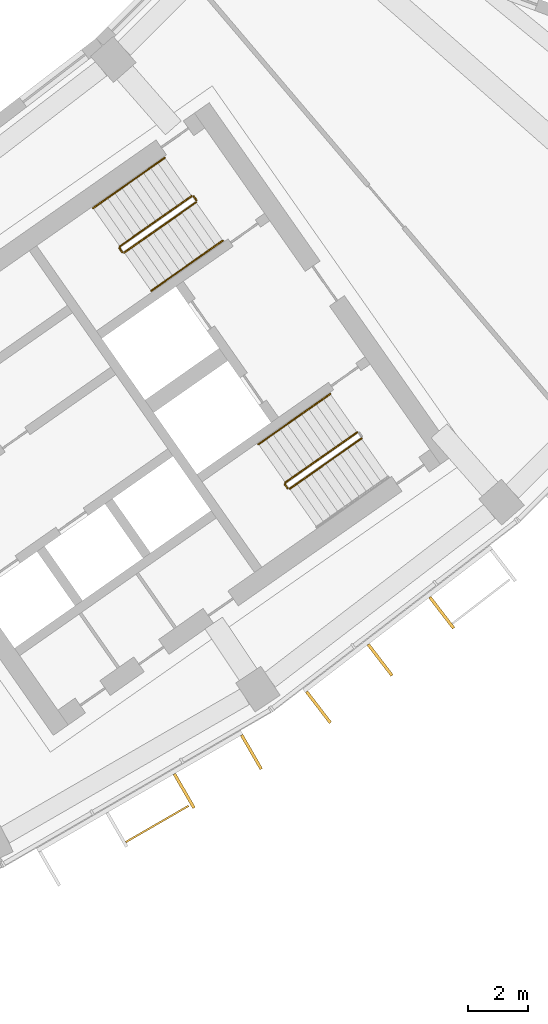
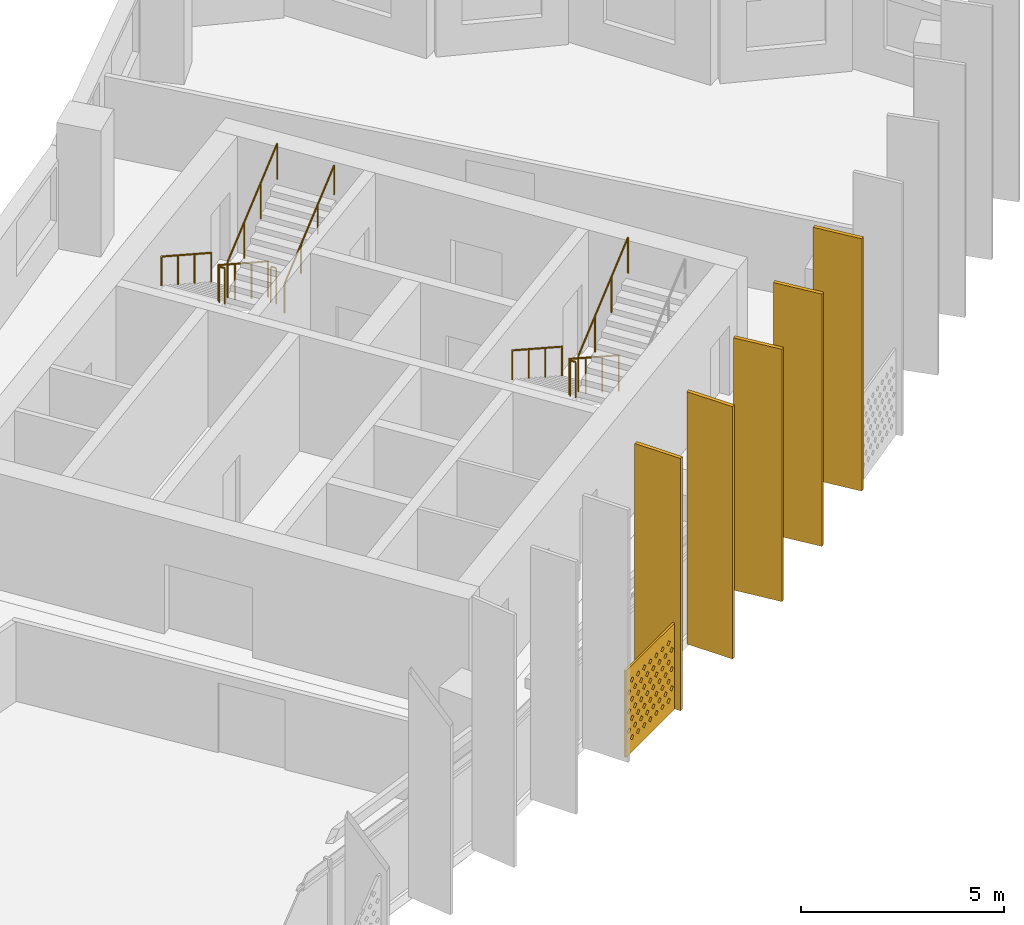
# One storey, part 27 of 28: 8 railings, 6 shading devices.
"""IFC4 building model written with IfcOpenShell, lengths in metres."""

from ifc_helpers import new_model, si_unit, direction, frame, origin, origin_2d, place, context, subcontext, project, spatial, polyline, rectangle, circle, outline, extrude, material, material_profile, profile_set, type_object, element, save


model = new_model("IFC4")

# Units and contexts
model_context = context("Model", 3, precision=1e-05, world=origin(), true_north=direction((0.0, 1.0)))
body_context = subcontext(model_context, "Body", "Model", "MODEL_VIEW")
ifc_project = project(units=[si_unit("LENGTHUNIT", "METRE"), si_unit("AREAUNIT", "SQUARE_METRE"), si_unit("VOLUMEUNIT", "CUBIC_METRE"), si_unit("PLANEANGLEUNIT", "RADIAN"), si_unit("MASSUNIT", "GRAM", prefix="KILO")], contexts=[model_context])

# Site, building, storey
site_placement = place(None, origin())
site = spatial("IfcSite", under=ifc_project, at=site_placement, CompositionType="ELEMENT")
building_placement = place(site_placement, origin())
building = spatial("IfcBuilding", under=site, at=building_placement, Name="Qamariyya Broadcast Tower", CompositionType="ELEMENT")
storey_placement = place(building_placement, frame((0.0, 0.0, 226.5)))
storey = spatial("IfcBuildingStorey", under=building, at=storey_placement, Name="L54", CompositionType="ELEMENT", Elevation=226.5)

# Shading device
ifc_material_1 = material(Name="Perforated glazed terracotta", Category="masonry")
ifc_material_profile_1 = material_profile(ifc_material_1, outline(polyline([(-1.199951171875, -1.300048828125), (1.199951171875, -1.300048828125), (1.199951171875, 1.300048828125), (-1.199951171875, 1.300048828125), (-1.199951171875, -1.300048828125)]), holes=[polyline([(-0.81494140625, -0.86669921875), (-0.89990234375, -0.78173828125), (-0.985107421875, -0.86669921875), (-0.89990234375, -0.95166015625), (-0.81494140625, -0.86669921875)]), polyline([(-0.514892578125, -0.86669921875), (-0.60009765625, -0.78173828125), (-0.68505859375, -0.86669921875), (-0.60009765625, -0.95166015625), (-0.514892578125, -0.86669921875)]), polyline([(-0.215087890625, -0.86669921875), (-0.300048828125, -0.78173828125), (-0.385009765625, -0.86669921875), (-0.300048828125, -0.95166015625), (-0.215087890625, -0.86669921875)]), polyline([(0.0849609375, -0.86669921875), (0.0, -0.78173828125), (-0.0849609375, -0.86669921875), (0.0, -0.95166015625), (0.0849609375, -0.86669921875)]), polyline([(0.385009765625, -0.86669921875), (0.300048828125, -0.78173828125), (0.215087890625, -0.86669921875), (0.300048828125, -0.95166015625), (0.385009765625, -0.86669921875)]), polyline([(0.68505859375, -0.86669921875), (0.60009765625, -0.78173828125), (0.514892578125, -0.86669921875), (0.60009765625, -0.95166015625), (0.68505859375, -0.86669921875)]), polyline([(0.985107421875, -0.86669921875), (0.89990234375, -0.78173828125), (0.81494140625, -0.86669921875), (0.89990234375, -0.95166015625), (0.985107421875, -0.86669921875)]), polyline([(-0.965087890625, -0.577880859375), (-1.050048828125, -0.49267578125), (-1.135009765625, -0.577880859375), (-1.050048828125, -0.662841796875), (-0.965087890625, -0.577880859375)]), polyline([(-0.6650390625, -0.577880859375), (-0.75, -0.49267578125), (-0.8349609375, -0.577880859375), (-0.75, -0.662841796875), (-0.6650390625, -0.577880859375)]), polyline([(-0.364990234375, -0.577880859375), (-0.449951171875, -0.49267578125), (-0.534912109375, -0.577880859375), (-0.449951171875, -0.662841796875), (-0.364990234375, -0.577880859375)]), polyline([(-0.06494140625, -0.577880859375), (-0.14990234375, -0.49267578125), (-0.235107421875, -0.577880859375), (-0.14990234375, -0.662841796875), (-0.06494140625, -0.577880859375)]), polyline([(0.235107421875, -0.577880859375), (0.14990234375, -0.49267578125), (0.06494140625, -0.577880859375), (0.14990234375, -0.662841796875), (0.235107421875, -0.577880859375)]), polyline([(0.534912109375, -0.577880859375), (0.449951171875, -0.49267578125), (0.364990234375, -0.577880859375), (0.449951171875, -0.662841796875), (0.534912109375, -0.577880859375)]), polyline([(0.8349609375, -0.577880859375), (0.75, -0.49267578125), (0.6650390625, -0.577880859375), (0.75, -0.662841796875), (0.8349609375, -0.577880859375)]), polyline([(1.135009765625, -0.577880859375), (1.050048828125, -0.49267578125), (0.965087890625, -0.577880859375), (1.050048828125, -0.662841796875), (1.135009765625, -0.577880859375)]), polyline([(-0.81494140625, -0.288818359375), (-0.89990234375, -0.203857421875), (-0.985107421875, -0.288818359375), (-0.89990234375, -0.373779296875), (-0.81494140625, -0.288818359375)]), polyline([(-0.514892578125, -0.288818359375), (-0.60009765625, -0.203857421875), (-0.68505859375, -0.288818359375), (-0.60009765625, -0.373779296875), (-0.514892578125, -0.288818359375)]), polyline([(-0.215087890625, -0.288818359375), (-0.300048828125, -0.203857421875), (-0.385009765625, -0.288818359375), (-0.300048828125, -0.373779296875), (-0.215087890625, -0.288818359375)]), polyline([(0.0849609375, -0.288818359375), (0.0, -0.203857421875), (-0.0849609375, -0.288818359375), (0.0, -0.373779296875), (0.0849609375, -0.288818359375)]), polyline([(0.385009765625, -0.288818359375), (0.300048828125, -0.203857421875), (0.215087890625, -0.288818359375), (0.300048828125, -0.373779296875), (0.385009765625, -0.288818359375)]), polyline([(0.68505859375, -0.288818359375), (0.60009765625, -0.203857421875), (0.514892578125, -0.288818359375), (0.60009765625, -0.373779296875), (0.68505859375, -0.288818359375)]), polyline([(0.985107421875, -0.288818359375), (0.89990234375, -0.203857421875), (0.81494140625, -0.288818359375), (0.89990234375, -0.373779296875), (0.985107421875, -0.288818359375)]), polyline([(-0.965087890625, 0.0), (-1.050048828125, 0.0849609375), (-1.135009765625, 0.0), (-1.050048828125, -0.0849609375), (-0.965087890625, 0.0)]), polyline([(-0.6650390625, 0.0), (-0.75, 0.0849609375), (-0.8349609375, 0.0), (-0.75, -0.0849609375), (-0.6650390625, 0.0)]), polyline([(-0.364990234375, 0.0), (-0.449951171875, 0.0849609375), (-0.534912109375, 0.0), (-0.449951171875, -0.0849609375), (-0.364990234375, 0.0)]), polyline([(-0.06494140625, 0.0), (-0.14990234375, 0.0849609375), (-0.235107421875, 0.0), (-0.14990234375, -0.0849609375), (-0.06494140625, 0.0)]), polyline([(0.235107421875, 0.0), (0.14990234375, 0.0849609375), (0.06494140625, 0.0), (0.14990234375, -0.0849609375), (0.235107421875, 0.0)]), polyline([(0.534912109375, 0.0), (0.449951171875, 0.0849609375), (0.364990234375, 0.0), (0.449951171875, -0.0849609375), (0.534912109375, 0.0)]), polyline([(0.8349609375, 0.0), (0.75, 0.0849609375), (0.6650390625, 0.0), (0.75, -0.0849609375), (0.8349609375, 0.0)]), polyline([(1.135009765625, 0.0), (1.050048828125, 0.0849609375), (0.965087890625, 0.0), (1.050048828125, -0.0849609375), (1.135009765625, 0.0)]), polyline([(-0.81494140625, 0.288818359375), (-0.89990234375, 0.373779296875), (-0.985107421875, 0.288818359375), (-0.89990234375, 0.203857421875), (-0.81494140625, 0.288818359375)]), polyline([(-0.514892578125, 0.288818359375), (-0.60009765625, 0.373779296875), (-0.68505859375, 0.288818359375), (-0.60009765625, 0.203857421875), (-0.514892578125, 0.288818359375)]), polyline([(-0.215087890625, 0.288818359375), (-0.300048828125, 0.373779296875), (-0.385009765625, 0.288818359375), (-0.300048828125, 0.203857421875), (-0.215087890625, 0.288818359375)]), polyline([(0.0849609375, 0.288818359375), (0.0, 0.373779296875), (-0.0849609375, 0.288818359375), (0.0, 0.203857421875), (0.0849609375, 0.288818359375)]), polyline([(0.385009765625, 0.288818359375), (0.300048828125, 0.373779296875), (0.215087890625, 0.288818359375), (0.300048828125, 0.203857421875), (0.385009765625, 0.288818359375)]), polyline([(0.68505859375, 0.288818359375), (0.60009765625, 0.373779296875), (0.514892578125, 0.288818359375), (0.60009765625, 0.203857421875), (0.68505859375, 0.288818359375)]), polyline([(0.985107421875, 0.288818359375), (0.89990234375, 0.373779296875), (0.81494140625, 0.288818359375), (0.89990234375, 0.203857421875), (0.985107421875, 0.288818359375)]), polyline([(-0.965087890625, 0.577880859375), (-1.050048828125, 0.662841796875), (-1.135009765625, 0.577880859375), (-1.050048828125, 0.49267578125), (-0.965087890625, 0.577880859375)]), polyline([(-0.6650390625, 0.577880859375), (-0.75, 0.662841796875), (-0.8349609375, 0.577880859375), (-0.75, 0.49267578125), (-0.6650390625, 0.577880859375)]), polyline([(-0.364990234375, 0.577880859375), (-0.449951171875, 0.662841796875), (-0.534912109375, 0.577880859375), (-0.449951171875, 0.49267578125), (-0.364990234375, 0.577880859375)]), polyline([(-0.06494140625, 0.577880859375), (-0.14990234375, 0.662841796875), (-0.235107421875, 0.577880859375), (-0.14990234375, 0.49267578125), (-0.06494140625, 0.577880859375)]), polyline([(0.235107421875, 0.577880859375), (0.14990234375, 0.662841796875), (0.06494140625, 0.577880859375), (0.14990234375, 0.49267578125), (0.235107421875, 0.577880859375)]), polyline([(0.534912109375, 0.577880859375), (0.449951171875, 0.662841796875), (0.364990234375, 0.577880859375), (0.449951171875, 0.49267578125), (0.534912109375, 0.577880859375)]), polyline([(0.8349609375, 0.577880859375), (0.75, 0.662841796875), (0.6650390625, 0.577880859375), (0.75, 0.49267578125), (0.8349609375, 0.577880859375)]), polyline([(1.135009765625, 0.577880859375), (1.050048828125, 0.662841796875), (0.965087890625, 0.577880859375), (1.050048828125, 0.49267578125), (1.135009765625, 0.577880859375)]), polyline([(-0.81494140625, 0.86669921875), (-0.89990234375, 0.95166015625), (-0.985107421875, 0.86669921875), (-0.89990234375, 0.78173828125), (-0.81494140625, 0.86669921875)]), polyline([(-0.514892578125, 0.86669921875), (-0.60009765625, 0.95166015625), (-0.68505859375, 0.86669921875), (-0.60009765625, 0.78173828125), (-0.514892578125, 0.86669921875)]), polyline([(-0.215087890625, 0.86669921875), (-0.300048828125, 0.95166015625), (-0.385009765625, 0.86669921875), (-0.300048828125, 0.78173828125), (-0.215087890625, 0.86669921875)]), polyline([(0.0849609375, 0.86669921875), (0.0, 0.95166015625), (-0.0849609375, 0.86669921875), (0.0, 0.78173828125), (0.0849609375, 0.86669921875)]), polyline([(0.385009765625, 0.86669921875), (0.300048828125, 0.95166015625), (0.215087890625, 0.86669921875), (0.300048828125, 0.78173828125), (0.385009765625, 0.86669921875)]), polyline([(0.68505859375, 0.86669921875), (0.60009765625, 0.95166015625), (0.514892578125, 0.86669921875), (0.60009765625, 0.78173828125), (0.68505859375, 0.86669921875)]), polyline([(0.985107421875, 0.86669921875), (0.89990234375, 0.95166015625), (0.81494140625, 0.86669921875), (0.89990234375, 0.78173828125), (0.985107421875, 0.86669921875)])]))
ifc_profile_set_1 = profile_set([ifc_material_profile_1], Name="Perforated glazed terracotta")
shading_device_type_1 = type_object("IfcShadingDeviceType", Name="Perforated terracotta screen 2400 x 2600", PredefinedType="USERDEFINED", material=ifc_profile_set_1)
shading_device_placement = place(storey_placement, frame((39.8447265625, -69.0849609375, 1.35009765625), z_axis=(0.500074377092, -0.865982457891, 0.0), x_axis=(0.865982457891, 0.500074377092, 0.0)))
element("IfcShadingDevice", 1, at=shading_device_placement, inside=storey, type_object=shading_device_type_1, Name="e-scr-L54-12-1", ObjectType="SCREEN", PredefinedType="USERDEFINED", context=body_context, shape_type="SweptSolid", body=[
    extrude(outline(polyline([(-1.199951171875, -1.300048828125), (1.199951171875, -1.300048828125), (1.199951171875, 1.300048828125), (-1.199951171875, 1.300048828125), (-1.199951171875, -1.300048828125)]), holes=[polyline([(-0.81494140625, -0.86669921875), (-0.89990234375, -0.78173828125), (-0.985107421875, -0.86669921875), (-0.89990234375, -0.95166015625), (-0.81494140625, -0.86669921875)]), polyline([(-0.514892578125, -0.86669921875), (-0.60009765625, -0.78173828125), (-0.68505859375, -0.86669921875), (-0.60009765625, -0.95166015625), (-0.514892578125, -0.86669921875)]), polyline([(-0.215087890625, -0.86669921875), (-0.300048828125, -0.78173828125), (-0.385009765625, -0.86669921875), (-0.300048828125, -0.95166015625), (-0.215087890625, -0.86669921875)]), polyline([(0.0849609375, -0.86669921875), (0.0, -0.78173828125), (-0.0849609375, -0.86669921875), (0.0, -0.95166015625), (0.0849609375, -0.86669921875)]), polyline([(0.385009765625, -0.86669921875), (0.300048828125, -0.78173828125), (0.215087890625, -0.86669921875), (0.300048828125, -0.95166015625), (0.385009765625, -0.86669921875)]), polyline([(0.68505859375, -0.86669921875), (0.60009765625, -0.78173828125), (0.514892578125, -0.86669921875), (0.60009765625, -0.95166015625), (0.68505859375, -0.86669921875)]), polyline([(0.985107421875, -0.86669921875), (0.89990234375, -0.78173828125), (0.81494140625, -0.86669921875), (0.89990234375, -0.95166015625), (0.985107421875, -0.86669921875)]), polyline([(-0.965087890625, -0.577880859375), (-1.050048828125, -0.49267578125), (-1.135009765625, -0.577880859375), (-1.050048828125, -0.662841796875), (-0.965087890625, -0.577880859375)]), polyline([(-0.6650390625, -0.577880859375), (-0.75, -0.49267578125), (-0.8349609375, -0.577880859375), (-0.75, -0.662841796875), (-0.6650390625, -0.577880859375)]), polyline([(-0.364990234375, -0.577880859375), (-0.449951171875, -0.49267578125), (-0.534912109375, -0.577880859375), (-0.449951171875, -0.662841796875), (-0.364990234375, -0.577880859375)]), polyline([(-0.06494140625, -0.577880859375), (-0.14990234375, -0.49267578125), (-0.235107421875, -0.577880859375), (-0.14990234375, -0.662841796875), (-0.06494140625, -0.577880859375)]), polyline([(0.235107421875, -0.577880859375), (0.14990234375, -0.49267578125), (0.06494140625, -0.577880859375), (0.14990234375, -0.662841796875), (0.235107421875, -0.577880859375)]), polyline([(0.534912109375, -0.577880859375), (0.449951171875, -0.49267578125), (0.364990234375, -0.577880859375), (0.449951171875, -0.662841796875), (0.534912109375, -0.577880859375)]), polyline([(0.8349609375, -0.577880859375), (0.75, -0.49267578125), (0.6650390625, -0.577880859375), (0.75, -0.662841796875), (0.8349609375, -0.577880859375)]), polyline([(1.135009765625, -0.577880859375), (1.050048828125, -0.49267578125), (0.965087890625, -0.577880859375), (1.050048828125, -0.662841796875), (1.135009765625, -0.577880859375)]), polyline([(-0.81494140625, -0.288818359375), (-0.89990234375, -0.203857421875), (-0.985107421875, -0.288818359375), (-0.89990234375, -0.373779296875), (-0.81494140625, -0.288818359375)]), polyline([(-0.514892578125, -0.288818359375), (-0.60009765625, -0.203857421875), (-0.68505859375, -0.288818359375), (-0.60009765625, -0.373779296875), (-0.514892578125, -0.288818359375)]), polyline([(-0.215087890625, -0.288818359375), (-0.300048828125, -0.203857421875), (-0.385009765625, -0.288818359375), (-0.300048828125, -0.373779296875), (-0.215087890625, -0.288818359375)]), polyline([(0.0849609375, -0.288818359375), (0.0, -0.203857421875), (-0.0849609375, -0.288818359375), (0.0, -0.373779296875), (0.0849609375, -0.288818359375)]), polyline([(0.385009765625, -0.288818359375), (0.300048828125, -0.203857421875), (0.215087890625, -0.288818359375), (0.300048828125, -0.373779296875), (0.385009765625, -0.288818359375)]), polyline([(0.68505859375, -0.288818359375), (0.60009765625, -0.203857421875), (0.514892578125, -0.288818359375), (0.60009765625, -0.373779296875), (0.68505859375, -0.288818359375)]), polyline([(0.985107421875, -0.288818359375), (0.89990234375, -0.203857421875), (0.81494140625, -0.288818359375), (0.89990234375, -0.373779296875), (0.985107421875, -0.288818359375)]), polyline([(-0.965087890625, 0.0), (-1.050048828125, 0.0849609375), (-1.135009765625, 0.0), (-1.050048828125, -0.0849609375), (-0.965087890625, 0.0)]), polyline([(-0.6650390625, 0.0), (-0.75, 0.0849609375), (-0.8349609375, 0.0), (-0.75, -0.0849609375), (-0.6650390625, 0.0)]), polyline([(-0.364990234375, 0.0), (-0.449951171875, 0.0849609375), (-0.534912109375, 0.0), (-0.449951171875, -0.0849609375), (-0.364990234375, 0.0)]), polyline([(-0.06494140625, 0.0), (-0.14990234375, 0.0849609375), (-0.235107421875, 0.0), (-0.14990234375, -0.0849609375), (-0.06494140625, 0.0)]), polyline([(0.235107421875, 0.0), (0.14990234375, 0.0849609375), (0.06494140625, 0.0), (0.14990234375, -0.0849609375), (0.235107421875, 0.0)]), polyline([(0.534912109375, 0.0), (0.449951171875, 0.0849609375), (0.364990234375, 0.0), (0.449951171875, -0.0849609375), (0.534912109375, 0.0)]), polyline([(0.8349609375, 0.0), (0.75, 0.0849609375), (0.6650390625, 0.0), (0.75, -0.0849609375), (0.8349609375, 0.0)]), polyline([(1.135009765625, 0.0), (1.050048828125, 0.0849609375), (0.965087890625, 0.0), (1.050048828125, -0.0849609375), (1.135009765625, 0.0)]), polyline([(-0.81494140625, 0.288818359375), (-0.89990234375, 0.373779296875), (-0.985107421875, 0.288818359375), (-0.89990234375, 0.203857421875), (-0.81494140625, 0.288818359375)]), polyline([(-0.514892578125, 0.288818359375), (-0.60009765625, 0.373779296875), (-0.68505859375, 0.288818359375), (-0.60009765625, 0.203857421875), (-0.514892578125, 0.288818359375)]), polyline([(-0.215087890625, 0.288818359375), (-0.300048828125, 0.373779296875), (-0.385009765625, 0.288818359375), (-0.300048828125, 0.203857421875), (-0.215087890625, 0.288818359375)]), polyline([(0.0849609375, 0.288818359375), (0.0, 0.373779296875), (-0.0849609375, 0.288818359375), (0.0, 0.203857421875), (0.0849609375, 0.288818359375)]), polyline([(0.385009765625, 0.288818359375), (0.300048828125, 0.373779296875), (0.215087890625, 0.288818359375), (0.300048828125, 0.203857421875), (0.385009765625, 0.288818359375)]), polyline([(0.68505859375, 0.288818359375), (0.60009765625, 0.373779296875), (0.514892578125, 0.288818359375), (0.60009765625, 0.203857421875), (0.68505859375, 0.288818359375)]), polyline([(0.985107421875, 0.288818359375), (0.89990234375, 0.373779296875), (0.81494140625, 0.288818359375), (0.89990234375, 0.203857421875), (0.985107421875, 0.288818359375)]), polyline([(-0.965087890625, 0.577880859375), (-1.050048828125, 0.662841796875), (-1.135009765625, 0.577880859375), (-1.050048828125, 0.49267578125), (-0.965087890625, 0.577880859375)]), polyline([(-0.6650390625, 0.577880859375), (-0.75, 0.662841796875), (-0.8349609375, 0.577880859375), (-0.75, 0.49267578125), (-0.6650390625, 0.577880859375)]), polyline([(-0.364990234375, 0.577880859375), (-0.449951171875, 0.662841796875), (-0.534912109375, 0.577880859375), (-0.449951171875, 0.49267578125), (-0.364990234375, 0.577880859375)]), polyline([(-0.06494140625, 0.577880859375), (-0.14990234375, 0.662841796875), (-0.235107421875, 0.577880859375), (-0.14990234375, 0.49267578125), (-0.06494140625, 0.577880859375)]), polyline([(0.235107421875, 0.577880859375), (0.14990234375, 0.662841796875), (0.06494140625, 0.577880859375), (0.14990234375, 0.49267578125), (0.235107421875, 0.577880859375)]), polyline([(0.534912109375, 0.577880859375), (0.449951171875, 0.662841796875), (0.364990234375, 0.577880859375), (0.449951171875, 0.49267578125), (0.534912109375, 0.577880859375)]), polyline([(0.8349609375, 0.577880859375), (0.75, 0.662841796875), (0.6650390625, 0.577880859375), (0.75, 0.49267578125), (0.8349609375, 0.577880859375)]), polyline([(1.135009765625, 0.577880859375), (1.050048828125, 0.662841796875), (0.965087890625, 0.577880859375), (1.050048828125, 0.49267578125), (1.135009765625, 0.577880859375)]), polyline([(-0.81494140625, 0.86669921875), (-0.89990234375, 0.95166015625), (-0.985107421875, 0.86669921875), (-0.89990234375, 0.78173828125), (-0.81494140625, 0.86669921875)]), polyline([(-0.514892578125, 0.86669921875), (-0.60009765625, 0.95166015625), (-0.68505859375, 0.86669921875), (-0.60009765625, 0.78173828125), (-0.514892578125, 0.86669921875)]), polyline([(-0.215087890625, 0.86669921875), (-0.300048828125, 0.95166015625), (-0.385009765625, 0.86669921875), (-0.300048828125, 0.78173828125), (-0.215087890625, 0.86669921875)]), polyline([(0.0849609375, 0.86669921875), (0.0, 0.95166015625), (-0.0849609375, 0.86669921875), (0.0, 0.78173828125), (0.0849609375, 0.86669921875)]), polyline([(0.385009765625, 0.86669921875), (0.300048828125, 0.95166015625), (0.215087890625, 0.86669921875), (0.300048828125, 0.78173828125), (0.385009765625, 0.86669921875)]), polyline([(0.68505859375, 0.86669921875), (0.60009765625, 0.95166015625), (0.514892578125, 0.86669921875), (0.60009765625, 0.78173828125), (0.68505859375, 0.86669921875)]), polyline([(0.985107421875, 0.86669921875), (0.89990234375, 0.95166015625), (0.81494140625, 0.86669921875), (0.89990234375, 0.78173828125), (0.985107421875, 0.86669921875)])]), origin(), (0.0, 0.0, 1.0), 0.06005859375),
])

# Railings
ifc_material_2 = material(Name="Painted steel", Category="steel")
railing_type_1 = type_object("IfcRailingType", Name="Stair guard", PredefinedType="GUARDRAIL", material=ifc_material_2)
railing_1_placement = place(storey_placement, frame((41.003173828125, -48.320068359375, 0.172607421875)))
element("IfcRailing", 2, at=railing_1_placement, inside=storey, type_object=railing_type_1, Name="L54 ST-E2 stair guard 1", PredefinedType="GUARDRAIL", context=body_context, shape_type="SweptSolid", body=[
    extrude(circle(Radius=0.02392578125, at=origin_2d()), frame((0.0, 0.0, 1.076171875), z_axis=(-0.703770094002, -0.492783725636, 0.511734163933), x_axis=(0.573575343427, -0.819152809562, 0.0)), (0.0, 0.0, 1.0), 3.37548828125),
    extrude(circle(Radius=0.02392578125, at=origin_2d()), frame((-2.37548828125, -1.663330078125, 2.80322265625), z_axis=(-0.172799478008, -0.984957024646, 0.0), x_axis=(0.984957024646, -0.172799478008, 0.0)), (0.0, 0.0, 1.0), 0.070556640625),
    extrude(circle(Radius=0.02392578125, at=origin_2d()), frame((-2.3876953125, -1.73291015625, 2.80322265625), z_axis=(0.572588637393, -0.819842821722, 0.0), x_axis=(0.819842821722, 0.572588637393, 0.0)), (0.0, 0.0, 1.0), 0.150146484375),
    extrude(circle(Radius=0.02099609375, at=origin_2d()), origin(), (0.0, 0.0, 1.0), 1.052001953125),
    extrude(circle(Radius=0.02099609375, at=origin_2d()), frame((-0.791748046875, -0.554443359375, 0.57568359375)), (0.0, 0.0, 1.0), 1.052001953125),
    extrude(circle(Radius=0.02099609375, at=origin_2d()), frame((-1.583740234375, -1.10888671875, 1.151611328125)), (0.0, 0.0, 1.0), 1.052001953125),
    extrude(circle(Radius=0.02099609375, at=origin_2d()), frame((-2.37548828125, -1.663330078125, 1.727294921875)), (0.0, 0.0, 1.0), 1.052001953125),
    extrude(circle(Radius=0.02099609375, at=origin_2d()), frame((-2.3876953125, -1.73291015625, 1.727294921875)), (0.0, 0.0, 1.0), 1.052001953125),
    extrude(circle(Radius=0.02099609375, at=origin_2d()), frame((-2.3017578125, -1.85595703125, 1.727294921875)), (0.0, 0.0, 1.0), 1.052001953125),
])
railing_2_placement = place(storey_placement, frame((38.771240234375, -50.188232421875, 2.07275390625)))
element("IfcRailing", 3, at=railing_2_placement, inside=storey, type_object=railing_type_1, Name="L54 ST-E2 stair guard 2", PredefinedType="GUARDRAIL", context=body_context, shape_type="SweptSolid", body=[
    extrude(circle(Radius=0.02392578125, at=origin_2d()), frame((0.0, 0.0, 1.076171875), z_axis=(0.703770094002, 0.492783725636, 0.511734163933), x_axis=(-0.573575343427, 0.819152809562, 0.0)), (0.0, 0.0, 1.0), 3.37548828125),
    extrude(circle(Radius=0.02099609375, at=origin_2d()), origin(), (0.0, 0.0, 1.0), 1.052001953125),
    extrude(circle(Radius=0.02099609375, at=origin_2d()), frame((0.791748046875, 0.554443359375, 0.57568359375)), (0.0, 0.0, 1.0), 1.052001953125),
    extrude(circle(Radius=0.02099609375, at=origin_2d()), frame((1.583740234375, 1.10888671875, 1.151611328125)), (0.0, 0.0, 1.0), 1.052001953125),
    extrude(circle(Radius=0.02099609375, at=origin_2d()), frame((2.37548828125, 1.663330078125, 1.727294921875)), (0.0, 0.0, 1.0), 1.052001953125),
])
railing_3_placement = place(storey_placement, frame((41.072998046875, -48.332275390625, 0.0)))
element("IfcRailing", 4, at=railing_3_placement, inside=storey, type_object=railing_type_1, Name="L54 ST-E2 stair guard 3", PredefinedType="GUARDRAIL", context=body_context, shape_type="SweptSolid", body=[
    extrude(circle(Radius=0.02392578125, at=origin_2d()), frame((0.0, 0.0, 1.076171875), z_axis=(0.572588637393, -0.819842821722, 0.0), x_axis=(0.819842821722, 0.572588637393, 0.0)), (0.0, 0.0, 1.0), 0.150146484375),
    extrude(circle(Radius=0.02099609375, at=origin_2d()), origin(), (0.0, 0.0, 1.0), 1.052001953125),
    extrude(circle(Radius=0.02099609375, at=origin_2d()), frame((0.0859375, -0.123046875, 0.0)), (0.0, 0.0, 1.0), 1.052001953125),
])
railing_4_placement = place(storey_placement, frame((46.48095703125, -56.14306640625, 0.172607421875)))
element("IfcRailing", 5, at=railing_4_placement, inside=storey, type_object=railing_type_1, Name="L54 ST-E1 stair guard 1", PredefinedType="GUARDRAIL", context=body_context, shape_type="SweptSolid", body=[
    extrude(circle(Radius=0.02392578125, at=origin_2d()), frame((0.0, 0.0, 1.076171875), z_axis=(-0.703770094002, -0.492783725636, 0.511734163933), x_axis=(0.573575343427, -0.819152809562, 0.0)), (0.0, 0.0, 1.0), 3.37548828125),
    extrude(circle(Radius=0.02392578125, at=origin_2d()), frame((-2.37548828125, -1.663330078125, 2.80322265625), z_axis=(-0.176149252506, -0.984363469884, 0.0), x_axis=(0.984363469884, -0.176149252506, 0.0)), (0.0, 0.0, 1.0), 0.07080078125),
    extrude(circle(Radius=0.02392578125, at=origin_2d()), frame((-2.387939453125, -1.73291015625, 2.80322265625), z_axis=(0.574444878118, -0.818543268254, 0.0), x_axis=(0.818543268254, 0.574444878118, 0.0)), (0.0, 0.0, 1.0), 0.150146484375),
    extrude(circle(Radius=0.02099609375, at=origin_2d()), origin(), (0.0, 0.0, 1.0), 1.052001953125),
    extrude(circle(Radius=0.02099609375, at=origin_2d()), frame((-0.791748046875, -0.554443359375, 0.57568359375)), (0.0, 0.0, 1.0), 1.052001953125),
    extrude(circle(Radius=0.02099609375, at=origin_2d()), frame((-1.583740234375, -1.10888671875, 1.151611328125)), (0.0, 0.0, 1.0), 1.052001953125),
    extrude(circle(Radius=0.02099609375, at=origin_2d()), frame((-2.37548828125, -1.663330078125, 1.727294921875)), (0.0, 0.0, 1.0), 1.052001953125),
    extrude(circle(Radius=0.02099609375, at=origin_2d()), frame((-2.387939453125, -1.73291015625, 1.727294921875)), (0.0, 0.0, 1.0), 1.052001953125),
    extrude(circle(Radius=0.02099609375, at=origin_2d()), frame((-2.3017578125, -1.855712890625, 1.727294921875)), (0.0, 0.0, 1.0), 1.052001953125),
])
railing_5_placement = place(storey_placement, frame((44.248779296875, -58.01123046875, 2.07275390625)))
element("IfcRailing", 6, at=railing_5_placement, inside=storey, type_object=railing_type_1, Name="L54 ST-E1 stair guard 2", PredefinedType="GUARDRAIL", context=body_context, shape_type="SweptSolid", body=[
    extrude(circle(Radius=0.02392578125, at=origin_2d()), frame((0.0, 0.0, 1.076171875), z_axis=(0.703745009021, 0.492838488332, 0.511715923826), x_axis=(-0.573631830683, 0.819113253969, 0.0)), (0.0, 0.0, 1.0), 3.37548828125),
    extrude(circle(Radius=0.02099609375, at=origin_2d()), origin(), (0.0, 0.0, 1.0), 1.052001953125),
    extrude(circle(Radius=0.02099609375, at=origin_2d()), frame((0.791748046875, 0.554443359375, 0.57568359375)), (0.0, 0.0, 1.0), 1.052001953125),
    extrude(circle(Radius=0.02099609375, at=origin_2d()), frame((1.583740234375, 1.109130859375, 1.151611328125)), (0.0, 0.0, 1.0), 1.052001953125),
    extrude(circle(Radius=0.02099609375, at=origin_2d()), frame((2.37548828125, 1.66357421875, 1.727294921875)), (0.0, 0.0, 1.0), 1.052001953125),
])
ifc_material_3 = material(Name="Stainless steel", Category="steel")
railing_type_2 = type_object("IfcRailingType", Name="Stair handrail", PredefinedType="HANDRAIL", material=ifc_material_3)
railing_6_placement = place(storey_placement, frame((40.1142578125, -47.05029296875, 0.172607421875)))
element("IfcRailing", 7, at=railing_6_placement, inside=storey, type_object=railing_type_2, Name="L54 ST-E2 stair handrail 1", PredefinedType="HANDRAIL", context=body_context, shape_type="SweptSolid", body=[
    extrude(circle(Radius=0.02392578125, at=origin_2d()), frame((0.0, 0.0, 0.8759765625), z_axis=(-0.703745009021, -0.492838488332, 0.511715923826), x_axis=(0.573631830683, -0.819113253969, 0.0)), (0.0, 0.0, 1.0), 3.37548828125),
    extrude(circle(Radius=0.02099609375, at=origin_2d()), origin(), (0.0, 0.0, 1.0), 0.851806640625),
    extrude(circle(Radius=0.02099609375, at=origin_2d()), frame((-0.791748046875, -0.554443359375, 0.57568359375)), (0.0, 0.0, 1.0), 0.851806640625),
    extrude(circle(Radius=0.02099609375, at=origin_2d()), frame((-1.583740234375, -1.109130859375, 1.151611328125)), (0.0, 0.0, 1.0), 0.851806640625),
    extrude(circle(Radius=0.02099609375, at=origin_2d()), frame((-2.37548828125, -1.66357421875, 1.727294921875)), (0.0, 0.0, 1.0), 0.851806640625),
])
railing_7_placement = place(storey_placement, frame((39.66015625, -51.4580078125, 2.07275390625)))
element("IfcRailing", 8, at=railing_7_placement, inside=storey, type_object=railing_type_2, Name="L54 ST-E2 stair handrail 2", PredefinedType="HANDRAIL", context=body_context, shape_type="SweptSolid", body=[
    extrude(circle(Radius=0.02392578125, at=origin_2d()), frame((0.0, 0.0, 0.8759765625), z_axis=(0.703745009021, 0.492838488332, 0.511715923826), x_axis=(-0.573631830683, 0.819113253969, 0.0)), (0.0, 0.0, 1.0), 3.37548828125),
    extrude(circle(Radius=0.02099609375, at=origin_2d()), origin(), (0.0, 0.0, 1.0), 0.851806640625),
    extrude(circle(Radius=0.02099609375, at=origin_2d()), frame((0.791748046875, 0.554443359375, 0.57568359375)), (0.0, 0.0, 1.0), 0.851806640625),
    extrude(circle(Radius=0.02099609375, at=origin_2d()), frame((1.583740234375, 1.109130859375, 1.151611328125)), (0.0, 0.0, 1.0), 0.851806640625),
    extrude(circle(Radius=0.02099609375, at=origin_2d()), frame((2.37548828125, 1.66357421875, 1.727294921875)), (0.0, 0.0, 1.0), 0.851806640625),
])
railing_8_placement = place(storey_placement, frame((45.591796875, -54.873291015625, 0.172607421875)))
element("IfcRailing", 9, at=railing_8_placement, inside=storey, type_object=railing_type_2, Name="L54 ST-E1 stair handrail 1", PredefinedType="HANDRAIL", context=body_context, shape_type="SweptSolid", body=[
    extrude(circle(Radius=0.02392578125, at=origin_2d()), frame((0.0, 0.0, 0.8759765625), z_axis=(-0.703770094002, -0.492783725636, 0.511734163933), x_axis=(0.573575343427, -0.819152809562, 0.0)), (0.0, 0.0, 1.0), 3.37548828125),
    extrude(circle(Radius=0.02099609375, at=origin_2d()), origin(), (0.0, 0.0, 1.0), 0.851806640625),
    extrude(circle(Radius=0.02099609375, at=origin_2d()), frame((-0.791748046875, -0.554443359375, 0.57568359375)), (0.0, 0.0, 1.0), 0.851806640625),
    extrude(circle(Radius=0.02099609375, at=origin_2d()), frame((-1.583740234375, -1.10888671875, 1.151611328125)), (0.0, 0.0, 1.0), 0.851806640625),
    extrude(circle(Radius=0.02099609375, at=origin_2d()), frame((-2.37548828125, -1.663330078125, 1.727294921875)), (0.0, 0.0, 1.0), 0.851806640625),
])

# Shading devices
ifc_material_4 = material(Name="Glazed terracotta", Category="masonry")
ifc_material_profile_2 = material_profile(ifc_material_4, rectangle(XDim=1.300048828125, YDim=0.10009765625, at=origin_2d()))
ifc_profile_set_2 = profile_set([ifc_material_profile_2], Name="Glazed terracotta")
shading_device_type_2 = type_object("IfcShadingDeviceType", Name="Terracotta fin 100 x 1300", PredefinedType="USERDEFINED", material=ifc_profile_set_2)
for number, where, z_axis, x_axis, name in (
    (10, (40.75439453125, -68.016845703125, 0.0), (0.0, 0.0, 1.0), (0.5, -0.866025403784, 0.0), "e-fin-L54-12-2"),
    (11, (42.98193359375, -66.73095703125, 0.0), (0.0, 0.0, 1.0), (0.5, -0.866025403784, 0.0), "e-fin-L54-12-3"),
    (12, (45.202880859375, -65.246826171875, 0.0), (0.0, 0.0, 1.0), (0.608761429009, -0.793353340291, 0.0), "e-fin-L54-13-0"),
    (13, (47.243408203125, -63.68115234375, 0.0), (0.0, 0.0, 1.0), (0.608761429009, -0.793353340291, 0.0), "e-fin-L54-13-1"),
    (14, (49.283935546875, -62.115478515625, 0.0), (0.0, 0.0, 1.0), (0.608761429009, -0.793353340291, 0.0), "e-fin-L54-13-2"),
):
    element("IfcShadingDevice", number, at=place(storey_placement, frame(where, z_axis=z_axis, x_axis=x_axis)), inside=storey, type_object=shading_device_type_2, Name=name, ObjectType="FIN", PredefinedType="USERDEFINED", context=body_context, shape_type="SweptSolid", body=[
        extrude(rectangle(XDim=1.300048828125, YDim=0.10009765625, at=origin_2d()), origin(), (0.0, 0.0, 1.0), 7.60009765625),
    ])

save(model, "model.ifc")
